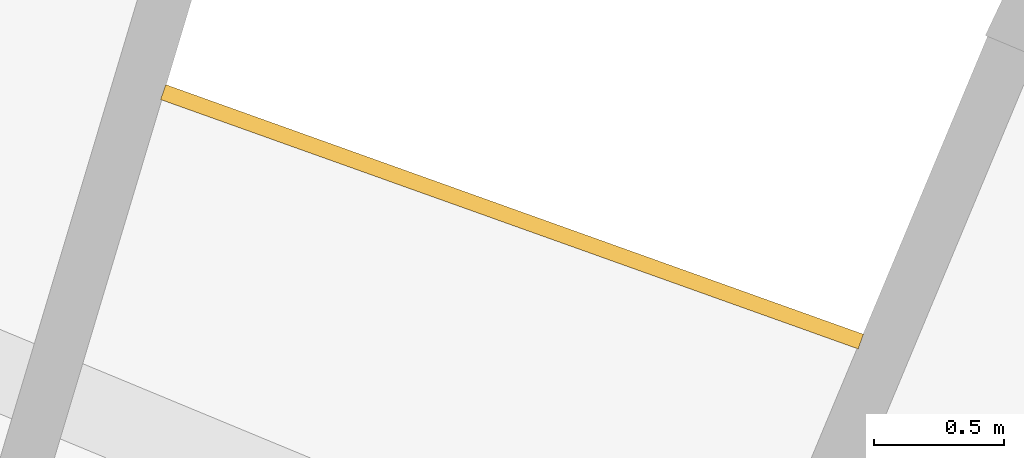
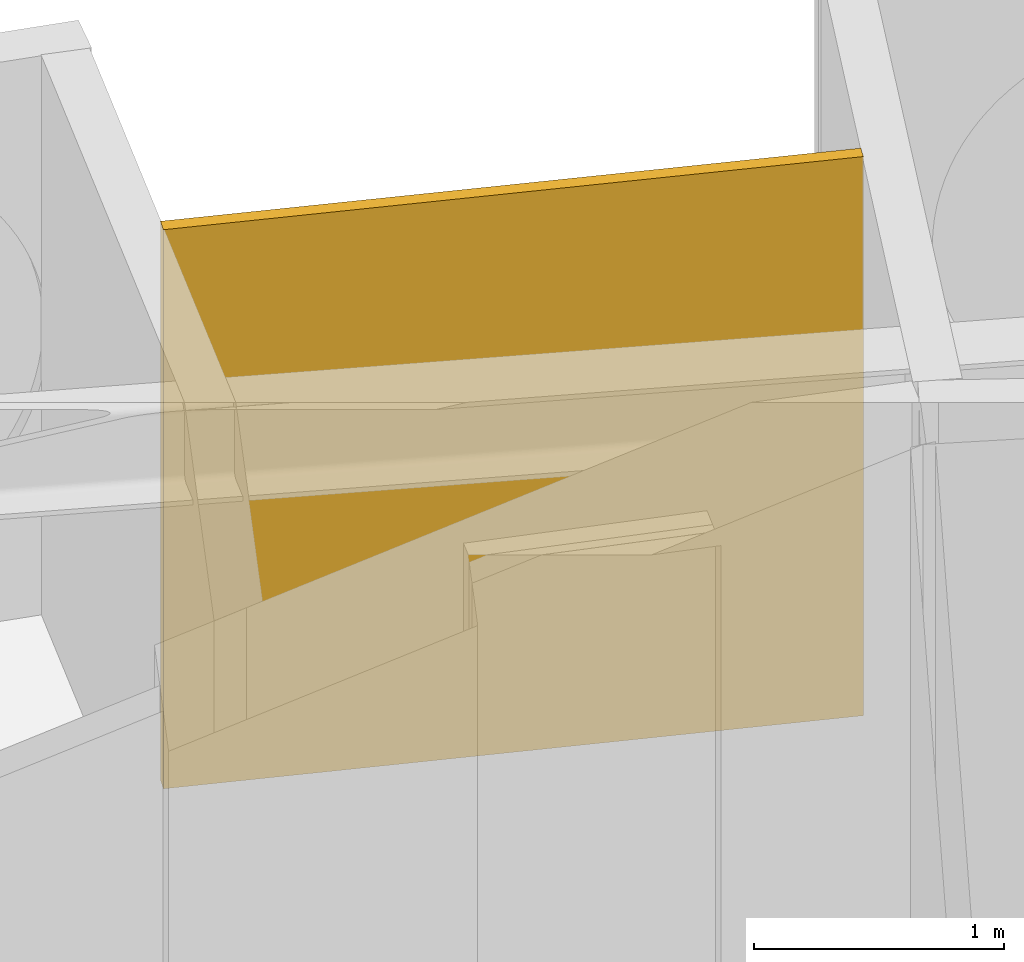
# One storey, part 28 of 28: 1 railing.
"""IFC4 building model written with IfcOpenShell, lengths in metres."""

from ifc_helpers import new_model, si_unit, direction, frame, origin, place, context, subcontext, project, spatial, polyline, outline, extrude, material, layer, layer_set, type_object, element, save


model = new_model("IFC4")

# Units and contexts
model_context = context("Model", 3, precision=1e-05, world=origin(), true_north=direction((0.0, 1.0)))
body_context = subcontext(model_context, "Body", "Model", "MODEL_VIEW")
ifc_project = project(units=[si_unit("LENGTHUNIT", "METRE"), si_unit("AREAUNIT", "SQUARE_METRE"), si_unit("VOLUMEUNIT", "CUBIC_METRE"), si_unit("PLANEANGLEUNIT", "RADIAN"), si_unit("MASSUNIT", "GRAM", prefix="KILO")], contexts=[model_context])

# Site, building, storey
site_placement = place(None, origin())
site = spatial("IfcSite", under=ifc_project, at=site_placement, CompositionType="ELEMENT")
building_placement = place(site_placement, origin())
building = spatial("IfcBuilding", under=site, at=building_placement, Name="Maasbend Ring Residences", CompositionType="ELEMENT")
storey_placement = place(building_placement, frame((0.0, 0.0, 173.800048828125)))
storey = spatial("IfcBuildingStorey", under=building, at=storey_placement, Name="L50", CompositionType="ELEMENT", Elevation=173.800048828125)

# Railing
ifc_material = material(Name="Pale anodised perforated aluminium", Category="aluminium")
ifc_layer = layer(ifc_material, 0.06005859375)
ifc_layer_set = layer_set([ifc_layer], Name="SCREEN-P")
railing_type = type_object("IfcRailingType", Name="SCREEN-P", PredefinedType="GUARDRAIL", material=ifc_layer_set)
railing_placement = place(storey_placement, frame((0.0, 0.0, -0.030029296875)))
element("IfcRailing", 1, at=railing_placement, inside=storey, type_object=railing_type, Name="Perforated screen guard 4", PredefinedType="GUARDRAIL", context=body_context, shape_type="SweptSolid", body=[
    extrude(outline(polyline([(11.097900390625, 26.79296875), (8.41796875, 27.7509765625), (8.43798828125, 27.80810546875), (11.117919921875, 26.84912109375), (11.097900390625, 26.79296875)])), origin(), (0.0, 0.0, 1.0), 2.72998046875),
])

save(model, "model.ifc")
